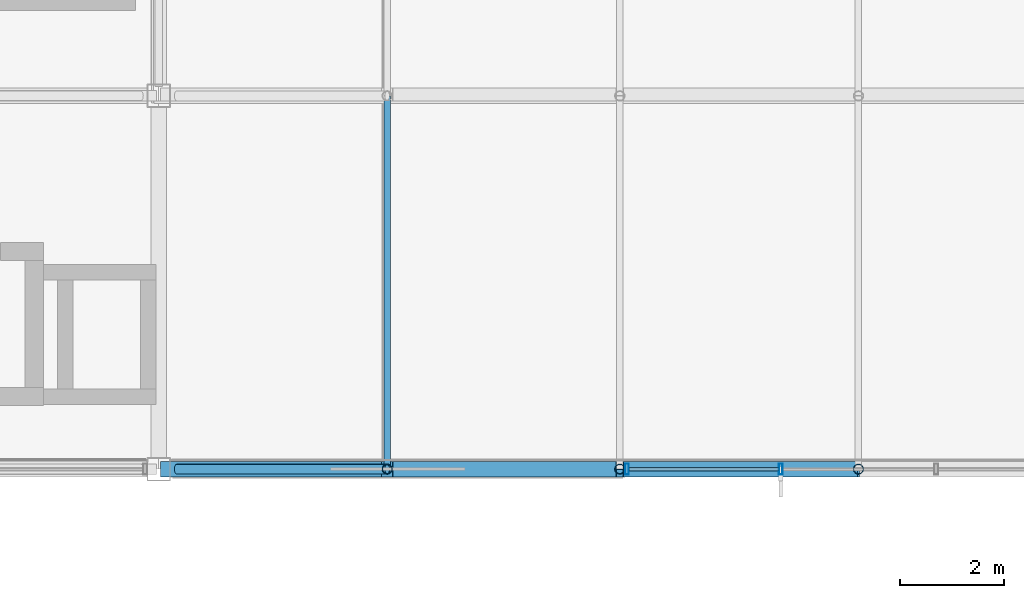
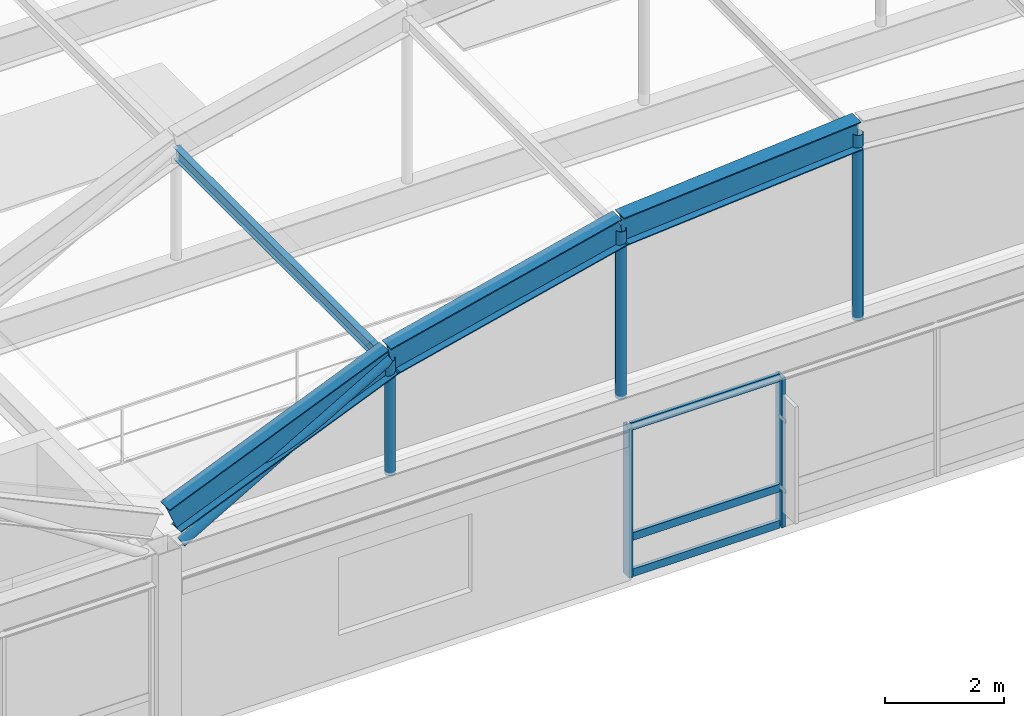
# One storey, part 32 of 106: 13 members, 1 element without a shape of its own.
"""IFC4 building model written with IfcOpenShell, lengths in metres."""

import ifcopenshell
import ifcopenshell.guid

model = None  # the IFC model being written
_history = None  # IfcOwnerHistory: only IFC2X3 demands one
_inside = {}  # id of a spatial element -> (the spatial element, [elements in it])
_under = {}  # id of a project, library or spatial element -> (it, [spatial elements below it])
_declared = {}  # id of a project -> (the project, [libraries it declares])
_typed = {}  # id of a type object -> (the type object, [elements of that type])
_made_of = {}  # id of a material, layer set ... -> (it, [elements and type objects made of it])


def new_model(schema):
    """Start an empty IFC model of exactly this schema.

    Asked for "IFC4X3", IfcOpenShell would pick the latest addendum, in which some entities
    have other attributes; the version numbers below select the first issue.
    IFC2X3 requires an IfcOwnerHistory on every rooted entity: one is made here for all.
    """
    global model, _history
    if schema == "IFC4X3":
        model = ifcopenshell.file(schema_version=(4, 3, 0, 0))
    else:
        model = ifcopenshell.file(schema=schema)
    _inside.clear()
    _under.clear()
    _declared.clear()
    _typed.clear()
    _made_of.clear()
    _history = None
    if model.schema == "IFC2X3":
        org = make("IfcOrganization", Name="unknown")
        user = make(
            "IfcPersonAndOrganization",
            ThePerson=make("IfcPerson", FamilyName="unknown"),
            TheOrganization=org,
        )
        app = make(
            "IfcApplication",
            ApplicationDeveloper=org,
            Version="unknown",
            ApplicationFullName="unknown",
            ApplicationIdentifier="unknown",
        )
        _history = make(
            "IfcOwnerHistory",
            OwningUser=user,
            OwningApplication=app,
            ChangeAction="ADDED",
            CreationDate=0,
        )
    return model


def make(cls, **values):
    """One entity of the class cls with the attributes given. An attribute that is None is left unset."""
    return model.create_entity(
        cls, **{name: value for name, value in values.items() if value is not None}
    )


def rooted(cls, **values):
    """An entity with a GlobalId (a new one), such as an element, a storey or a relation."""
    return make(cls, GlobalId=ifcopenshell.guid.new(), OwnerHistory=_history, **values)


def si_unit(unit_type, name, prefix=None):
    """IfcSIUnit, for example si_unit("LENGTHUNIT", "METRE", prefix="MILLI")."""
    return make("IfcSIUnit", UnitType=unit_type, Prefix=prefix, Name=name)


def assignment(units):
    """IfcUnitAssignment: the units of a project."""
    return None if units is None else make("IfcUnitAssignment", Units=units)


def point(xyz):
    """IfcCartesianPoint."""
    return None if xyz is None else make("IfcCartesianPoint", Coordinates=xyz)


def direction(xyz):
    """IfcDirection."""
    return None if xyz is None else make("IfcDirection", DirectionRatios=xyz)


def frame(location, z_axis=None, x_axis=None):
    """IfcAxis2Placement3D, a coordinate frame: its origin and axes. An axis left out is left unset."""
    return make(
        "IfcAxis2Placement3D",
        Location=point(location),
        Axis=direction(z_axis),
        RefDirection=direction(x_axis),
    )


def frame_2d(location, x_axis=None):
    """IfcAxis2Placement2D, a coordinate frame in the plane: its origin and x axis."""
    return make(
        "IfcAxis2Placement2D", Location=point(location), RefDirection=direction(x_axis)
    )


def origin():
    """The frame at (0, 0, 0) with its axes left unset."""
    return frame((0.0, 0.0, 0.0))


def origin_2d():
    """The frame at (0, 0) in the plane with its x axis left unset."""
    return frame_2d((0.0, 0.0))


def place(relative_to, where):
    """IfcLocalPlacement: puts the frame where relative to a parent placement (None: the world)."""
    return make(
        "IfcLocalPlacement", PlacementRelTo=relative_to, RelativePlacement=where
    )


def context(
    kind, dimensions, precision=None, world=None, true_north=None, identifier=None
):
    """IfcGeometricRepresentationContext, for example the 3D "Model" context."""
    return make(
        "IfcGeometricRepresentationContext",
        ContextIdentifier=identifier,
        ContextType=kind,
        CoordinateSpaceDimension=dimensions,
        Precision=precision,
        WorldCoordinateSystem=world,
        TrueNorth=true_north,
    )


def subcontext(parent, identifier, kind, view, scale=None):
    """IfcGeometricRepresentationSubContext, for example "Body" below "Model"."""
    return make(
        "IfcGeometricRepresentationSubContext",
        ContextIdentifier=identifier,
        ContextType=kind,
        ParentContext=parent,
        TargetScale=scale,
        TargetView=view,
    )


def project(units=None, contexts=None):
    """IfcProject with its units and contexts."""
    return rooted(
        "IfcProject",
        Name="project",
        RepresentationContexts=contexts,
        UnitsInContext=assignment(units),
    )


def spatial(cls, under=None, at=None, **own):
    """A site, building, storey or space (cls), placed at a placement, below another one or the project."""
    s = rooted(cls, ObjectPlacement=at, **own)
    if under is not None:
        _under.setdefault(under.id(), (under, []))[1].append(s)
    return s


def profile(cls, at=None, kind="AREA", **sizes):
    """A parametric profile (cls). Its sizes go by their IFC names, for example OverallWidth=200.0."""
    return make(cls, ProfileType=kind, Position=at, **sizes)


def hollow_rectangle(**sizes):
    """IfcRectangleHollowProfileDef."""
    return profile("IfcRectangleHollowProfileDef", **sizes)


def hollow_circle(**sizes):
    """IfcCircleHollowProfileDef."""
    return profile("IfcCircleHollowProfileDef", **sizes)


def i_section(**sizes):
    """IfcIShapeProfileDef."""
    return profile("IfcIShapeProfileDef", **sizes)


def extrude(swept, where, along, depth):
    """IfcExtrudedAreaSolid: the profile swept, set in the frame where, extruded along a direction by depth."""
    return make(
        "IfcExtrudedAreaSolid",
        SweptArea=swept,
        Position=where,
        ExtrudedDirection=direction(along),
        Depth=depth,
    )


def shape(context_of_items, identifier, shape_type, items):
    """IfcShapeRepresentation: the items that make up one representation, for example the "Body"."""
    return make(
        "IfcShapeRepresentation",
        ContextOfItems=context_of_items,
        RepresentationIdentifier=identifier,
        RepresentationType=shape_type,
        Items=items,
    )


def material(Name=None, Category=None):
    """IfcMaterial."""
    return make("IfcMaterial", Name=Name, Category=Category)


def material_profile(
    of_material, cross_section, Name=None, Category=None, Priority=None
):
    """IfcMaterialProfile: a cross section and its material."""
    return make(
        "IfcMaterialProfile",
        Name=Name,
        Material=of_material,
        Profile=cross_section,
        Priority=Priority,
        Category=Category,
    )


def profile_set(profiles, Name=None, composite=None):
    """IfcMaterialProfileSet."""
    return make(
        "IfcMaterialProfileSet",
        Name=Name,
        MaterialProfiles=profiles,
        CompositeProfile=composite,
    )


def made_of(thing, what):
    """Note that an element or type object is made of a material, layer set ...; save() writes the relation."""
    if what is not None:
        _made_of.setdefault(what.id(), (what, []))[1].append(thing)
    return thing


def type_object(cls, material=None, **own):
    """A type object (cls), such as IfcWallType, which elements share."""
    return made_of(rooted(cls, **own), material)


def element(
    cls,
    number,
    at=None,
    inside=None,
    cuts=None,
    type_object=None,
    material=None,
    context=None,
    identifier="Body",
    shape_type=None,
    held_by="IfcProductDefinitionShape",
    body=None,
    shapes=None,
    **own,
):
    """One element of the class cls, such as IfcWall. Its Tag is "e" and its number.

    at: its placement. inside: the storey or other place that contains it. cuts: it is an
    opening in that element (IfcRelVoidsElement). A single representation is given by context,
    identifier, shape_type and body (its items); several are given by shapes. held_by: the class
    of the entity that holds the representations. save() writes the other relations.
    """
    e = rooted(cls, Tag="e%d" % number, ObjectPlacement=at, **own)
    if body is not None:
        shapes = [shape(context, identifier, shape_type, body)]
    if shapes is not None:
        e.Representation = make(held_by, Representations=shapes)
    if inside is not None:
        _inside.setdefault(inside.id(), (inside, []))[1].append(e)
    if cuts is not None:
        rooted(
            "IfcRelVoidsElement", RelatingBuildingElement=cuts, RelatedOpeningElement=e
        )
    if type_object is not None:
        _typed.setdefault(type_object.id(), (type_object, []))[1].append(e)
    return made_of(e, material)


def aggregate(whole, parts):
    """IfcRelAggregates: a whole, such as a stair, and the parts it consists of."""
    return rooted("IfcRelAggregates", RelatingObject=whole, RelatedObjects=parts)


def save(model, path):
    """Write the relations noted so far, then the file.

    IfcRelAggregates (storeys below a building ...), IfcRelContainedInSpatialStructure (elements
    in a storey), IfcRelDefinesByType, IfcRelAssociatesMaterial and IfcRelDeclares: one each for
    every whole, place, type object, material and project.
    """
    for whole, parts in _under.values():
        aggregate(whole, parts)
    for where, things in _inside.values():
        rooted(
            "IfcRelContainedInSpatialStructure",
            RelatedElements=things,
            RelatingStructure=where,
        )
    for kind, things in _typed.values():
        rooted("IfcRelDefinesByType", RelatedObjects=things, RelatingType=kind)
    for what, things in _made_of.values():
        rooted("IfcRelAssociatesMaterial", RelatedObjects=things, RelatingMaterial=what)
    for by, libraries in _declared.values():
        rooted("IfcRelDeclares", RelatingContext=by, RelatedDefinitions=libraries)
    model.write(path)


model = new_model("IFC4")

# Units and contexts
model_context = context("Model", 3, precision=1e-05, world=origin(), true_north=direction((0.0, 1.0)))
body_context = subcontext(model_context, "Body", "Model", "MODEL_VIEW")
ifc_project = project(units=[si_unit("LENGTHUNIT", "METRE"), si_unit("AREAUNIT", "SQUARE_METRE"), si_unit("VOLUMEUNIT", "CUBIC_METRE"), si_unit("PLANEANGLEUNIT", "RADIAN"), si_unit("MASSUNIT", "GRAM", prefix="KILO")], contexts=[model_context])

# Site, building, storey
site_placement = place(None, origin())
site = spatial("IfcSite", under=ifc_project, at=site_placement, CompositionType="ELEMENT")
building_placement = place(site_placement, origin())
building = spatial("IfcBuilding", under=site, at=building_placement, Name="Kazanami Central Library", CompositionType="ELEMENT")
storey_placement = place(building_placement, frame((0.0, 0.0, 12.800048828125)))
storey = spatial("IfcBuildingStorey", under=building, at=storey_placement, Name="L04", CompositionType="ELEMENT", Elevation=12.800048828125)

# Members
ifc_material_1 = material(Name="Steel SN490B (325 MPa)", Category="steel")
ifc_material_profile_1 = material_profile(ifc_material_1, i_section(OverallWidth=0.300048828125, OverallDepth=0.587890625, WebThickness=0.011962890625, FlangeThickness=0.02001953125, at=origin_2d()), Name="H-588x300x12x20")
ifc_profile_set_1 = profile_set([ifc_material_profile_1], Name="Steel SN490B (325 MPa)")
member_type_1 = type_object("IfcMemberType", Name="MEM-AR-01", PredefinedType="CHORD", material=ifc_profile_set_1)
for number, where, z_axis, x_axis, name in (
    (1, (63.14990234375, 64.800048828125, 4.299072265625), (0.921854112797, 0.0, 0.387537088185), (0.0, 1.0, 0.0), "Barrel Vault Arch Rib AR-01 VAULT-MAIN Grid K Seg 1"),
    (2, (67.407958984375, 64.800048828125, 6.089111328125), (0.971622638672, 0.0, 0.236536356656), (0.0, 1.0, 0.0), "Barrel Vault Arch Rib AR-01 VAULT-MAIN Grid K Seg 2"),
    (3, (71.895751953125, 64.800048828125, 7.181640625), (0.99683088961, 0.0, 0.079549842985), (0.0, 1.0, 0.0), "Barrel Vault Arch Rib AR-01 VAULT-MAIN Grid K Seg 3"),
):
    element("IfcMember", number, at=place(storey_placement, frame(where, z_axis=z_axis, x_axis=x_axis)), inside=storey, type_object=member_type_1, Name=name, PredefinedType="CHORD", context=body_context, shape_type="SweptSolid", body=[
        extrude(i_section(OverallWidth=0.300048828125, OverallDepth=0.587890625, WebThickness=0.011962890625, FlangeThickness=0.02001953125, at=origin_2d()), origin(), (0.0, 0.0, 1.0), 4.618896484375),
    ])

# Curtain wall, members
ifc_material_2 = material(Name="Acid-Etched Low-E Laminated Glass", Category="glass")
curtain_wall_type = type_object("IfcCurtainWallType", Name="CW-9000x3080-M275", PredefinedType="USERDEFINED", material=ifc_material_2)
curtain_wall_placement = place(storey_placement, origin())
curtain_wall = element("IfcCurtainWall", 4, at=curtain_wall_placement, inside=storey, type_object=curtain_wall_type, Name="Unitised Curtain Wall CW-41 L04 S-K-08", ObjectType="UNITISED CURTAIN WALL", PredefinedType="USERDEFINED")
ifc_material_3 = material(Name="Anodised Aluminium A6063-T5", Category="aluminium")
ifc_material_profile_2 = material_profile(ifc_material_3, hollow_rectangle(XDim=0.070068359375, YDim=0.2099609375, WallThickness=0.0048828125, at=origin_2d()), Name="ALU-MULL-70x210x5")
ifc_profile_set_2 = profile_set([ifc_material_profile_2], Name="Anodised Aluminium A6063-T5")
member_type_2 = type_object("IfcMemberType", Name="MEM-CW-M1", PredefinedType="MULLION", material=ifc_profile_set_2)
member_1_placement = place(storey_placement, frame((72.034912109375, 64.800048828125, 0.0), z_axis=(0.0, 0.0, 1.0), x_axis=(1.0, 0.0, 0.0)))
member_1 = element("IfcMember", 5, at=member_1_placement, type_object=member_type_2, Name="CW-41 mullion 1", PredefinedType="MULLION", context=body_context, shape_type="SweptSolid", body=[
    extrude(hollow_rectangle(XDim=0.070068359375, YDim=0.2099609375, WallThickness=0.0048828125, at=origin_2d()), origin(), (0.0, 0.0, 1.0), 3.079833984375),
])
member_2_placement = place(storey_placement, frame((75.0, 64.800048828125, 0.0), z_axis=(0.0, 0.0, 1.0), x_axis=(1.0, 0.0, 0.0)))
member_2 = element("IfcMember", 6, at=member_2_placement, type_object=member_type_2, Name="CW-41 mullion 2", PredefinedType="MULLION", context=body_context, shape_type="SweptSolid", body=[
    extrude(hollow_rectangle(XDim=0.070068359375, YDim=0.2099609375, WallThickness=0.0048828125, at=origin_2d()), origin(), (0.0, 0.0, 1.0), 3.079833984375),
])
ifc_material_profile_3 = material_profile(ifc_material_3, hollow_rectangle(XDim=0.070068359375, YDim=0.159912109375, WallThickness=0.00390625, at=origin_2d()), Name="ALU-TRAN-70x160x4")
ifc_profile_set_3 = profile_set([ifc_material_profile_3], Name="Anodised Aluminium A6063-T5")
member_type_3 = type_object("IfcMemberType", Name="MEM-CW-T1", PredefinedType="USERDEFINED", material=ifc_profile_set_3)
member_3_placement = place(storey_placement, frame((72.070068359375, 64.800048828125, 0.034912109375), z_axis=(1.0, 0.0, 0.0), x_axis=(0.0, 1.0, 0.0)))
member_3 = element("IfcMember", 7, at=member_3_placement, type_object=member_type_3, Name="CW-41 transom 1.1", ObjectType="TRANSOM", PredefinedType="USERDEFINED", context=body_context, shape_type="SweptSolid", body=[
    extrude(hollow_rectangle(XDim=0.070068359375, YDim=0.159912109375, WallThickness=0.00390625, at=origin_2d()), origin(), (0.0, 0.0, 1.0), 2.89501953125),
])
member_4_placement = place(storey_placement, frame((72.070068359375, 64.800048828125, 0.780029296875), z_axis=(1.0, 0.0, 0.0), x_axis=(0.0, 1.0, 0.0)))
member_4 = element("IfcMember", 8, at=member_4_placement, type_object=member_type_3, Name="CW-41 transom 1.2", ObjectType="TRANSOM", PredefinedType="USERDEFINED", context=body_context, shape_type="SweptSolid", body=[
    extrude(hollow_rectangle(XDim=0.070068359375, YDim=0.159912109375, WallThickness=0.00390625, at=origin_2d()), origin(), (0.0, 0.0, 1.0), 2.89501953125),
])
member_5_placement = place(storey_placement, frame((72.070068359375, 64.800048828125, 3.044921875), z_axis=(1.0, 0.0, 0.0), x_axis=(0.0, 1.0, 0.0)))
member_5 = element("IfcMember", 9, at=member_5_placement, type_object=member_type_3, Name="CW-41 transom 1.3", ObjectType="TRANSOM", PredefinedType="USERDEFINED", context=body_context, shape_type="SweptSolid", body=[
    extrude(hollow_rectangle(XDim=0.070068359375, YDim=0.159912109375, WallThickness=0.00390625, at=origin_2d()), origin(), (0.0, 0.0, 1.0), 2.89501953125),
])
aggregate(curtain_wall, [member_1, member_2, member_3, member_4, member_5])

# Members
ifc_material_4 = material(Name="Steel SN400B (235 MPa)", Category="steel")
ifc_material_profile_4 = material_profile(ifc_material_4, i_section(OverallWidth=0.125, OverallDepth=0.25, WebThickness=0.006103515625, FlangeThickness=0.009033203125, at=origin_2d()), Name="H-250x125x6x9")
ifc_profile_set_4 = profile_set([ifc_material_profile_4], Name="Steel SN400B (235 MPa)")
member_type_4 = type_object("IfcMemberType", Name="MEM-PUR-250", PredefinedType="PURLIN", material=ifc_profile_set_4)
member_6_placement = place(storey_placement, frame((67.407958984375, 64.804931640625, 5.94921875), z_axis=(0.0, 1.0, 0.0), x_axis=(-1.0, 0.0, 0.0)))
element("IfcMember", 10, at=member_6_placement, inside=storey, type_object=member_type_4, Name="Barrel Vault Longitudinal Purlin VAULT-MAIN Knuckle 1.1", PredefinedType="PURLIN", context=body_context, shape_type="SweptSolid", body=[
    extrude(i_section(OverallWidth=0.125, OverallDepth=0.25, WebThickness=0.006103515625, FlangeThickness=0.009033203125, at=origin_2d()), origin(), (0.0, 0.0, 1.0), 7.190185546875),
])
ifc_material_5 = material(Name="Steel STK490 (315 MPa)", Category="steel")
ifc_material_profile_5 = material_profile(ifc_material_5, hollow_circle(Radius=0.095458984375, WallThickness=0.007080078125, at=origin_2d()), Name="CHS-190.7x7.0")
ifc_profile_set_5 = profile_set([ifc_material_profile_5], Name="Steel STK490 (315 MPa)")
member_type_5 = type_object("IfcMemberType", Name="MEM-VST-190", PredefinedType="STRUT", material=ifc_profile_set_5)
member_7_placement = place(storey_placement, frame((67.407958984375, 64.800048828125, 3.71484375), z_axis=(0.0, 0.0, 1.0), x_axis=(1.0, 0.0, 0.0)))
element("IfcMember", 11, at=member_7_placement, inside=storey, type_object=member_type_5, Name="Barrel Vault Tied-Arch Web Strut VAULT-MAIN Grid K Knuckle 1", PredefinedType="STRUT", context=body_context, shape_type="SweptSolid", body=[
    extrude(hollow_circle(Radius=0.095458984375, WallThickness=0.007080078125, at=origin_2d()), origin(), (0.0, 0.0, 1.0), 2.354248046875),
])
member_8_placement = place(storey_placement, frame((71.895751953125, 64.800048828125, 3.71484375), z_axis=(0.0, 0.0, 1.0), x_axis=(1.0, 0.0, 0.0)))
element("IfcMember", 12, at=member_8_placement, inside=storey, type_object=member_type_5, Name="Barrel Vault Tied-Arch Web Strut VAULT-MAIN Grid K Knuckle 2", PredefinedType="STRUT", context=body_context, shape_type="SweptSolid", body=[
    extrude(hollow_circle(Radius=0.095458984375, WallThickness=0.007080078125, at=origin_2d()), origin(), (0.0, 0.0, 1.0), 3.44677734375),
])
member_9_placement = place(storey_placement, frame((76.5, 64.800048828125, 3.71484375), z_axis=(0.0, 0.0, 1.0), x_axis=(1.0, 0.0, 0.0)))
element("IfcMember", 13, at=member_9_placement, inside=storey, type_object=member_type_5, Name="Barrel Vault Tied-Arch Web Strut VAULT-MAIN Grid K Knuckle 3", PredefinedType="STRUT", context=body_context, shape_type="SweptSolid", body=[
    extrude(hollow_circle(Radius=0.095458984375, WallThickness=0.007080078125, at=origin_2d()), origin(), (0.0, 0.0, 1.0), 3.814208984375),
])
member_10_placement = place(storey_placement, frame((63.35009765625, 64.800048828125, 3.71484375), z_axis=(0.864967490529, 0.0, 0.501827899114), x_axis=(0.0, 1.0, 0.0)))
element("IfcMember", 14, at=member_10_placement, inside=storey, type_object=member_type_5, Name="Barrel Vault Tied-Arch Diagonal VAULT-MAIN Grid K (L)", PredefinedType="BRACE", context=body_context, shape_type="SweptSolid", body=[
    extrude(hollow_circle(Radius=0.095458984375, WallThickness=0.007080078125, at=origin_2d()), origin(), (0.0, 0.0, 1.0), 4.69140625),
])

save(model, "model.ifc")
